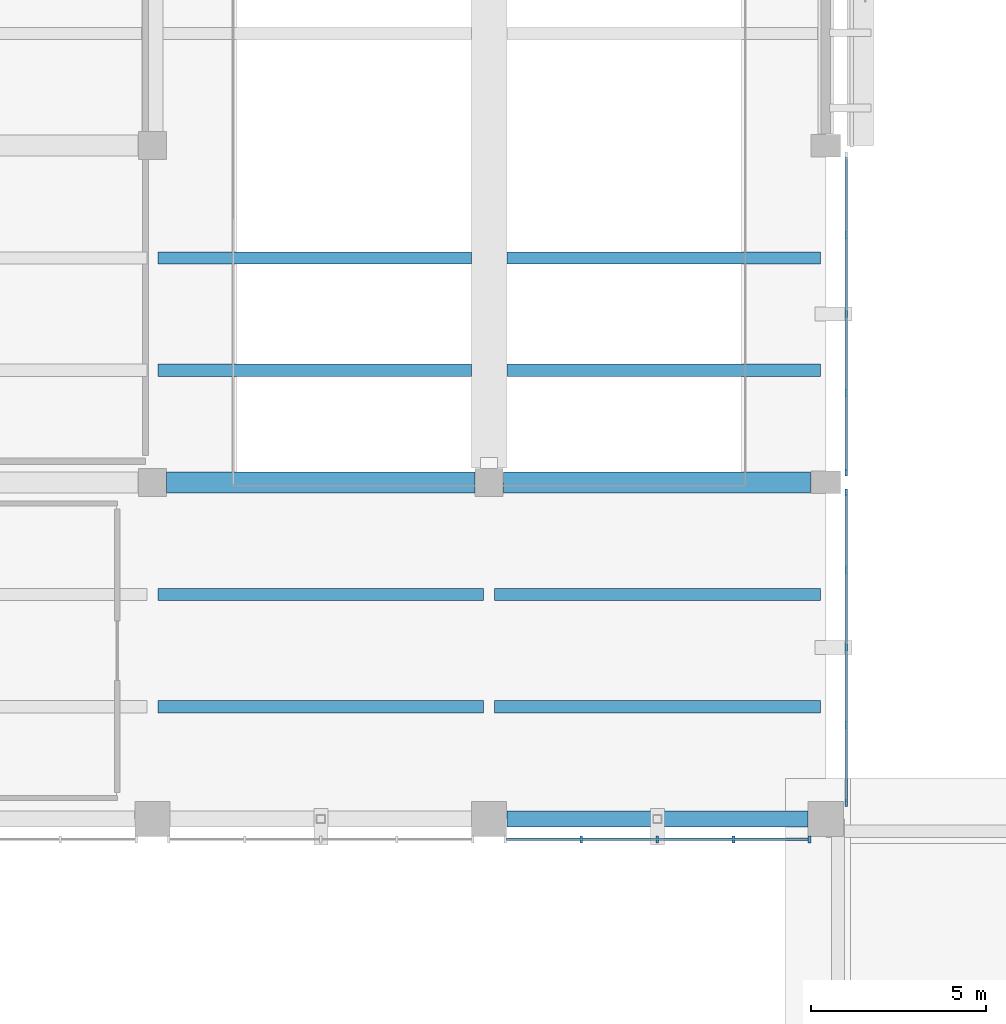
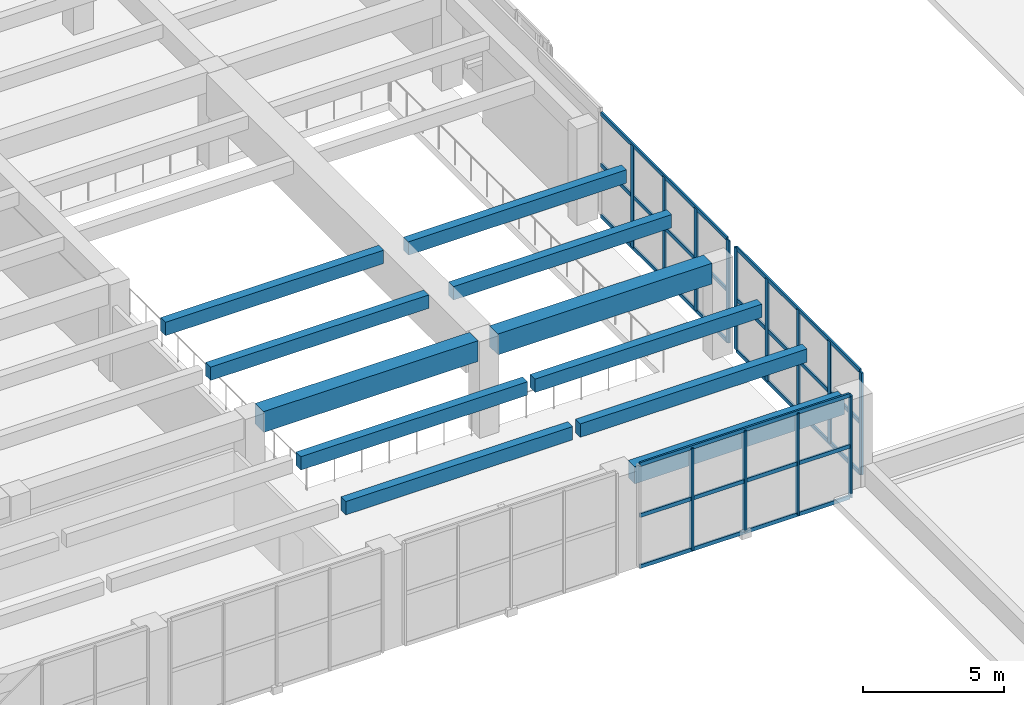
# One storey, part 11 of 49: 22 members, 11 beams, 3 elements without a shape of their own.
"""IFC4 building model written with IfcOpenShell, lengths in metres."""

import ifcopenshell
import ifcopenshell.guid

model = None  # the IFC model being written
_history = None  # IfcOwnerHistory: only IFC2X3 demands one
_inside = {}  # id of a spatial element -> (the spatial element, [elements in it])
_under = {}  # id of a project, library or spatial element -> (it, [spatial elements below it])
_declared = {}  # id of a project -> (the project, [libraries it declares])
_typed = {}  # id of a type object -> (the type object, [elements of that type])
_made_of = {}  # id of a material, layer set ... -> (it, [elements and type objects made of it])


def new_model(schema):
    """Start an empty IFC model of exactly this schema.

    Asked for "IFC4X3", IfcOpenShell would pick the latest addendum, in which some entities
    have other attributes; the version numbers below select the first issue.
    IFC2X3 requires an IfcOwnerHistory on every rooted entity: one is made here for all.
    """
    global model, _history
    if schema == "IFC4X3":
        model = ifcopenshell.file(schema_version=(4, 3, 0, 0))
    else:
        model = ifcopenshell.file(schema=schema)
    _inside.clear()
    _under.clear()
    _declared.clear()
    _typed.clear()
    _made_of.clear()
    _history = None
    if model.schema == "IFC2X3":
        org = make("IfcOrganization", Name="unknown")
        user = make(
            "IfcPersonAndOrganization",
            ThePerson=make("IfcPerson", FamilyName="unknown"),
            TheOrganization=org,
        )
        app = make(
            "IfcApplication",
            ApplicationDeveloper=org,
            Version="unknown",
            ApplicationFullName="unknown",
            ApplicationIdentifier="unknown",
        )
        _history = make(
            "IfcOwnerHistory",
            OwningUser=user,
            OwningApplication=app,
            ChangeAction="ADDED",
            CreationDate=0,
        )
    return model


def make(cls, **values):
    """One entity of the class cls with the attributes given. An attribute that is None is left unset."""
    return model.create_entity(
        cls, **{name: value for name, value in values.items() if value is not None}
    )


def rooted(cls, **values):
    """An entity with a GlobalId (a new one), such as an element, a storey or a relation."""
    return make(cls, GlobalId=ifcopenshell.guid.new(), OwnerHistory=_history, **values)


def si_unit(unit_type, name, prefix=None):
    """IfcSIUnit, for example si_unit("LENGTHUNIT", "METRE", prefix="MILLI")."""
    return make("IfcSIUnit", UnitType=unit_type, Prefix=prefix, Name=name)


def assignment(units):
    """IfcUnitAssignment: the units of a project."""
    return None if units is None else make("IfcUnitAssignment", Units=units)


def point(xyz):
    """IfcCartesianPoint."""
    return None if xyz is None else make("IfcCartesianPoint", Coordinates=xyz)


def direction(xyz):
    """IfcDirection."""
    return None if xyz is None else make("IfcDirection", DirectionRatios=xyz)


def frame(location, z_axis=None, x_axis=None):
    """IfcAxis2Placement3D, a coordinate frame: its origin and axes. An axis left out is left unset."""
    return make(
        "IfcAxis2Placement3D",
        Location=point(location),
        Axis=direction(z_axis),
        RefDirection=direction(x_axis),
    )


def frame_2d(location, x_axis=None):
    """IfcAxis2Placement2D, a coordinate frame in the plane: its origin and x axis."""
    return make(
        "IfcAxis2Placement2D", Location=point(location), RefDirection=direction(x_axis)
    )


def origin():
    """The frame at (0, 0, 0) with its axes left unset."""
    return frame((0.0, 0.0, 0.0))


def origin_2d():
    """The frame at (0, 0) in the plane with its x axis left unset."""
    return frame_2d((0.0, 0.0))


def place(relative_to, where):
    """IfcLocalPlacement: puts the frame where relative to a parent placement (None: the world)."""
    return make(
        "IfcLocalPlacement", PlacementRelTo=relative_to, RelativePlacement=where
    )


def context(
    kind, dimensions, precision=None, world=None, true_north=None, identifier=None
):
    """IfcGeometricRepresentationContext, for example the 3D "Model" context."""
    return make(
        "IfcGeometricRepresentationContext",
        ContextIdentifier=identifier,
        ContextType=kind,
        CoordinateSpaceDimension=dimensions,
        Precision=precision,
        WorldCoordinateSystem=world,
        TrueNorth=true_north,
    )


def subcontext(parent, identifier, kind, view, scale=None):
    """IfcGeometricRepresentationSubContext, for example "Body" below "Model"."""
    return make(
        "IfcGeometricRepresentationSubContext",
        ContextIdentifier=identifier,
        ContextType=kind,
        ParentContext=parent,
        TargetScale=scale,
        TargetView=view,
    )


def project(units=None, contexts=None):
    """IfcProject with its units and contexts."""
    return rooted(
        "IfcProject",
        Name="project",
        RepresentationContexts=contexts,
        UnitsInContext=assignment(units),
    )


def spatial(cls, under=None, at=None, **own):
    """A site, building, storey or space (cls), placed at a placement, below another one or the project."""
    s = rooted(cls, ObjectPlacement=at, **own)
    if under is not None:
        _under.setdefault(under.id(), (under, []))[1].append(s)
    return s


def profile(cls, at=None, kind="AREA", **sizes):
    """A parametric profile (cls). Its sizes go by their IFC names, for example OverallWidth=200.0."""
    return make(cls, ProfileType=kind, Position=at, **sizes)


def rectangle(**sizes):
    """IfcRectangleProfileDef."""
    return profile("IfcRectangleProfileDef", **sizes)


def extrude(swept, where, along, depth):
    """IfcExtrudedAreaSolid: the profile swept, set in the frame where, extruded along a direction by depth."""
    return make(
        "IfcExtrudedAreaSolid",
        SweptArea=swept,
        Position=where,
        ExtrudedDirection=direction(along),
        Depth=depth,
    )


def shape(context_of_items, identifier, shape_type, items):
    """IfcShapeRepresentation: the items that make up one representation, for example the "Body"."""
    return make(
        "IfcShapeRepresentation",
        ContextOfItems=context_of_items,
        RepresentationIdentifier=identifier,
        RepresentationType=shape_type,
        Items=items,
    )


def material(Name=None, Category=None):
    """IfcMaterial."""
    return make("IfcMaterial", Name=Name, Category=Category)


def layer(
    of_material, thickness, ventilated=None, Name=None, Category=None, Priority=None
):
    """IfcMaterialLayer: one layer of a wall or slab, of a material (None: an air gap)."""
    return make(
        "IfcMaterialLayer",
        Material=of_material,
        LayerThickness=thickness,
        IsVentilated=ventilated,
        Name=Name,
        Category=Category,
        Priority=Priority,
    )


def layer_set(layers, Name=None):
    """IfcMaterialLayerSet."""
    return make("IfcMaterialLayerSet", MaterialLayers=layers, LayerSetName=Name)


def material_profile(
    of_material, cross_section, Name=None, Category=None, Priority=None
):
    """IfcMaterialProfile: a cross section and its material."""
    return make(
        "IfcMaterialProfile",
        Name=Name,
        Material=of_material,
        Profile=cross_section,
        Priority=Priority,
        Category=Category,
    )


def profile_set(profiles, Name=None, composite=None):
    """IfcMaterialProfileSet."""
    return make(
        "IfcMaterialProfileSet",
        Name=Name,
        MaterialProfiles=profiles,
        CompositeProfile=composite,
    )


def made_of(thing, what):
    """Note that an element or type object is made of a material, layer set ...; save() writes the relation."""
    if what is not None:
        _made_of.setdefault(what.id(), (what, []))[1].append(thing)
    return thing


def type_object(cls, material=None, **own):
    """A type object (cls), such as IfcWallType, which elements share."""
    return made_of(rooted(cls, **own), material)


def element(
    cls,
    number,
    at=None,
    inside=None,
    cuts=None,
    type_object=None,
    material=None,
    context=None,
    identifier="Body",
    shape_type=None,
    held_by="IfcProductDefinitionShape",
    body=None,
    shapes=None,
    **own,
):
    """One element of the class cls, such as IfcWall. Its Tag is "e" and its number.

    at: its placement. inside: the storey or other place that contains it. cuts: it is an
    opening in that element (IfcRelVoidsElement). A single representation is given by context,
    identifier, shape_type and body (its items); several are given by shapes. held_by: the class
    of the entity that holds the representations. save() writes the other relations.
    """
    e = rooted(cls, Tag="e%d" % number, ObjectPlacement=at, **own)
    if body is not None:
        shapes = [shape(context, identifier, shape_type, body)]
    if shapes is not None:
        e.Representation = make(held_by, Representations=shapes)
    if inside is not None:
        _inside.setdefault(inside.id(), (inside, []))[1].append(e)
    if cuts is not None:
        rooted(
            "IfcRelVoidsElement", RelatingBuildingElement=cuts, RelatedOpeningElement=e
        )
    if type_object is not None:
        _typed.setdefault(type_object.id(), (type_object, []))[1].append(e)
    return made_of(e, material)


def aggregate(whole, parts):
    """IfcRelAggregates: a whole, such as a stair, and the parts it consists of."""
    return rooted("IfcRelAggregates", RelatingObject=whole, RelatedObjects=parts)


def save(model, path):
    """Write the relations noted so far, then the file.

    IfcRelAggregates (storeys below a building ...), IfcRelContainedInSpatialStructure (elements
    in a storey), IfcRelDefinesByType, IfcRelAssociatesMaterial and IfcRelDeclares: one each for
    every whole, place, type object, material and project.
    """
    for whole, parts in _under.values():
        aggregate(whole, parts)
    for where, things in _inside.values():
        rooted(
            "IfcRelContainedInSpatialStructure",
            RelatedElements=things,
            RelatingStructure=where,
        )
    for kind, things in _typed.values():
        rooted("IfcRelDefinesByType", RelatedObjects=things, RelatingType=kind)
    for what, things in _made_of.values():
        rooted("IfcRelAssociatesMaterial", RelatedObjects=things, RelatingMaterial=what)
    for by, libraries in _declared.values():
        rooted("IfcRelDeclares", RelatingContext=by, RelatedDefinitions=libraries)
    model.write(path)


model = new_model("IFC4")

# Units and contexts
model_context = context("Model", 3, precision=1e-05, world=origin(), true_north=direction((0.0, 1.0)))
body_context = subcontext(model_context, "Body", "Model", "MODEL_VIEW")
ifc_project = project(units=[si_unit("LENGTHUNIT", "METRE"), si_unit("AREAUNIT", "SQUARE_METRE"), si_unit("VOLUMEUNIT", "CUBIC_METRE"), si_unit("PLANEANGLEUNIT", "RADIAN"), si_unit("MASSUNIT", "GRAM", prefix="KILO")], contexts=[model_context])

# Site, building, storey
site_placement = place(None, origin())
site = spatial("IfcSite", under=ifc_project, at=site_placement, CompositionType="ELEMENT")
building_placement = place(site_placement, origin())
building = spatial("IfcBuilding", under=site, at=building_placement, Name="Bempovik Park Faculty of Sciences", CompositionType="ELEMENT")
storey_placement = place(building_placement, frame((0.0, 0.0, 5.39990234375)))
storey = spatial("IfcBuildingStorey", under=building, at=storey_placement, Name="L01", CompositionType="ELEMENT", Elevation=5.39990234375)

# Beams
ifc_material_1 = material(Name="Concrete C35/45", Category="concrete")
ifc_material_profile_1 = material_profile(ifc_material_1, rectangle(XDim=0.35009765625, YDim=0.580078125, at=origin_2d()), Name="RC 350x580")
ifc_profile_set_1 = profile_set([ifc_material_profile_1], Name="Concrete C35/45")
beam_type_1 = type_object("IfcBeamType", Name="B-107 RC 350x580", PredefinedType="JOIST", material=ifc_profile_set_1)
for number, where, z_axis, x_axis, name in (
    (1, (98.555908203125, 23.0, 3.89013671875), (1.0, 0.0, 0.0), (0.0, 1.0, 0.0), "L01 Secondary Joist (98.4-108.0, y=23.00)"),
    (2, (98.555908203125, 26.199951171875, 3.89013671875), (1.0, 0.0, 0.0), (0.0, 1.0, 0.0), "L01 Secondary Joist (98.4-108.0, y=26.20)"),
):
    element("IfcBeam", number, at=place(storey_placement, frame(where, z_axis=z_axis, x_axis=x_axis)), inside=storey, type_object=beam_type_1, Name=name, PredefinedType="JOIST", context=body_context, shape_type="SweptSolid", body=[
        extrude(rectangle(XDim=0.35009765625, YDim=0.580078125, at=origin_2d()), origin(), (0.0, 0.0, 1.0), 9.2880859375),
    ])
for number, where, z_axis, x_axis, name in (
    (3, (98.555908203125, 32.60009765625, 3.89013671875), (1.0, 0.0, 0.0), (0.0, 1.0, 0.0), "L01 Secondary Joist (98.4-108.0, y=32.60)"),
    (4, (98.555908203125, 35.800048828125, 3.89013671875), (1.0, 0.0, 0.0), (0.0, 1.0, 0.0), "L01 Secondary Joist (98.4-108.0, y=35.80)"),
):
    element("IfcBeam", number, at=place(storey_placement, frame(where, z_axis=z_axis, x_axis=x_axis)), inside=storey, type_object=beam_type_1, Name=name, PredefinedType="JOIST", context=body_context, shape_type="SweptSolid", body=[
        extrude(rectangle(XDim=0.35009765625, YDim=0.580078125, at=origin_2d()), origin(), (0.0, 0.0, 1.0), 8.93798828125),
    ])
for number, where, z_axis, x_axis, name in (
    (5, (108.156005859375, 23.0, 3.89013671875), (1.0, 0.0, 0.0), (0.0, 1.0, 0.0), "L01 Secondary Joist (108.0-117.6, y=23.00)"),
    (6, (108.156005859375, 26.199951171875, 3.89013671875), (1.0, 0.0, 0.0), (0.0, 1.0, 0.0), "L01 Secondary Joist (108.0-117.6, y=26.20)"),
):
    element("IfcBeam", number, at=place(storey_placement, frame(where, z_axis=z_axis, x_axis=x_axis)), inside=storey, type_object=beam_type_1, Name=name, PredefinedType="JOIST", context=body_context, shape_type="SweptSolid", body=[
        extrude(rectangle(XDim=0.35009765625, YDim=0.580078125, at=origin_2d()), origin(), (0.0, 0.0, 1.0), 9.2880859375),
    ])
for number, where, z_axis, x_axis, name in (
    (7, (108.506103515625, 32.60009765625, 3.89013671875), (1.0, 0.0, 0.0), (0.0, 1.0, 0.0), "L01 Secondary Joist (108.0-117.6, y=32.60)"),
    (8, (108.506103515625, 35.800048828125, 3.89013671875), (1.0, 0.0, 0.0), (0.0, 1.0, 0.0), "L01 Secondary Joist (108.0-117.6, y=35.80)"),
):
    element("IfcBeam", number, at=place(storey_placement, frame(where, z_axis=z_axis, x_axis=x_axis)), inside=storey, type_object=beam_type_1, Name=name, PredefinedType="JOIST", context=body_context, shape_type="SweptSolid", body=[
        extrude(rectangle(XDim=0.35009765625, YDim=0.580078125, at=origin_2d()), origin(), (0.0, 0.0, 1.0), 8.93798828125),
    ])
ifc_material_2 = material(Name="Concrete C40/50", Category="concrete")
ifc_material_profile_2 = material_profile(ifc_material_2, rectangle(XDim=0.60009765625, YDim=0.89990234375, at=origin_2d()), Name="RC 600x900")
ifc_profile_set_2 = profile_set([ifc_material_profile_2], Name="Concrete C40/50")
beam_type_2 = type_object("IfcBeamType", Name="B-115 RC 600x900", PredefinedType="BEAM", material=ifc_profile_set_2)
beam_1_placement = place(storey_placement, frame((98.805908203125, 29.39990234375, 3.72998046875), z_axis=(1.0, 0.0, 0.0), x_axis=(0.0, 1.0, 0.0)))
element("IfcBeam", 9, at=beam_1_placement, inside=storey, type_object=beam_type_2, Name="L01 Beam X (98.4-108.0, y=29.4)", PredefinedType="BEAM", context=body_context, shape_type="SweptSolid", body=[
    extrude(rectangle(XDim=0.60009765625, YDim=0.89990234375, at=origin_2d()), origin(), (0.0, 0.0, 1.0), 8.7880859375),
])
beam_2_placement = place(storey_placement, frame((108.406005859375, 29.39990234375, 3.72998046875), z_axis=(1.0, 0.0, 0.0), x_axis=(0.0, 1.0, 0.0)))
element("IfcBeam", 10, at=beam_2_placement, inside=storey, type_object=beam_type_2, Name="L01 Beam X (108.0-117.6, y=29.4)", PredefinedType="BEAM", context=body_context, shape_type="SweptSolid", body=[
    extrude(rectangle(XDim=0.60009765625, YDim=0.89990234375, at=origin_2d()), origin(), (0.0, 0.0, 1.0), 8.762939453125),
])
ifc_material_profile_3 = material_profile(ifc_material_2, rectangle(XDim=0.449951171875, YDim=0.75, at=origin_2d()), Name="RC 450x750")
ifc_profile_set_3 = profile_set([ifc_material_profile_3], Name="Concrete C40/50")
beam_type_3 = type_object("IfcBeamType", Name="B-130 RC 450x750", PredefinedType="SPANDREL", material=ifc_profile_set_3)
beam_3_placement = place(storey_placement, frame((108.506103515625, 19.800048828125, 3.80517578125), z_axis=(1.0, 0.0, 0.0), x_axis=(0.0, 1.0, 0.0)))
element("IfcBeam", 11, at=beam_3_placement, inside=storey, type_object=beam_type_3, Name="L01 Beam X (108.0-117.6, y=19.8)", PredefinedType="SPANDREL", context=body_context, shape_type="SweptSolid", body=[
    extrude(rectangle(XDim=0.449951171875, YDim=0.75, at=origin_2d()), origin(), (0.0, 0.0, 1.0), 8.587890625),
])

# Curtain wall, members
ifc_material_3 = material(Name="Tempered laminated low-E glass", Category="glass")
ifc_layer = layer(ifc_material_3, 0.159912109375)
ifc_layer_set = layer_set([ifc_layer], Name="Tempered laminated low-E glass")
curtain_wall_type = type_object("IfcCurtainWallType", Name="CW-48 Curtain 7200x4200", PredefinedType="USERDEFINED", material=ifc_layer_set)
curtain_wall_1_placement = place(storey_placement, origin())
curtain_wall_1 = element("IfcCurtainWall", 12, at=curtain_wall_1_placement, inside=storey, type_object=curtain_wall_type, Name="L01 Recessed Entrance Foyer Curtain Wall (19.8-29.4)", ObjectType="UNITISED CURTAIN WALL", PredefinedType="USERDEFINED")
ifc_material_4 = material(Name="Anodised architectural bronze", Category="aluminium")
ifc_material_profile_4 = material_profile(ifc_material_4, rectangle(XDim=0.074951171875, YDim=0.199951171875, at=origin_2d()), Name="ALU-M 75x200")
ifc_profile_set_4 = profile_set([ifc_material_profile_4], Name="Anodised architectural bronze")
member_type_1 = type_object("IfcMemberType", Name="ML-17 ALU-M 75x200", PredefinedType="MULLION", material=ifc_profile_set_4)
member_1_placement = place(storey_placement, frame((118.179931640625, 20.261962890625, 0.080078125), z_axis=(0.0, 0.0, 1.0), x_axis=(1.0, 0.0, 0.0)))
member_1 = element("IfcMember", 13, at=member_1_placement, type_object=member_type_1, Name="CW-FOY-L01-1176-198 Mullion 0", PredefinedType="MULLION", context=body_context, shape_type="SweptSolid", body=[
    extrude(rectangle(XDim=0.074951171875, YDim=0.199951171875, at=origin_2d()), origin(), (0.0, 0.0, 1.0), 4.419921875),
])
member_2_placement = place(storey_placement, frame((118.179931640625, 22.474853515625, 0.080078125), z_axis=(0.0, 0.0, 1.0), x_axis=(1.0, 0.0, 0.0)))
member_2 = element("IfcMember", 14, at=member_2_placement, type_object=member_type_1, Name="CW-FOY-L01-1176-198 Mullion 1", PredefinedType="MULLION", context=body_context, shape_type="SweptSolid", body=[
    extrude(rectangle(XDim=0.074951171875, YDim=0.199951171875, at=origin_2d()), origin(), (0.0, 0.0, 1.0), 4.419921875),
])
member_3_placement = place(storey_placement, frame((118.179931640625, 24.6875, 0.080078125), z_axis=(0.0, 0.0, 1.0), x_axis=(1.0, 0.0, 0.0)))
member_3 = element("IfcMember", 15, at=member_3_placement, type_object=member_type_1, Name="CW-FOY-L01-1176-198 Mullion 2", PredefinedType="MULLION", context=body_context, shape_type="SweptSolid", body=[
    extrude(rectangle(XDim=0.074951171875, YDim=0.199951171875, at=origin_2d()), origin(), (0.0, 0.0, 1.0), 4.419921875),
])
member_4_placement = place(storey_placement, frame((118.179931640625, 26.900146484375, 0.080078125), z_axis=(0.0, 0.0, 1.0), x_axis=(1.0, 0.0, 0.0)))
member_4 = element("IfcMember", 16, at=member_4_placement, type_object=member_type_1, Name="CW-FOY-L01-1176-198 Mullion 3", PredefinedType="MULLION", context=body_context, shape_type="SweptSolid", body=[
    extrude(rectangle(XDim=0.074951171875, YDim=0.199951171875, at=origin_2d()), origin(), (0.0, 0.0, 1.0), 4.419921875),
])
member_5_placement = place(storey_placement, frame((118.179931640625, 29.113037109375, 0.080078125), z_axis=(0.0, 0.0, 1.0), x_axis=(1.0, 0.0, 0.0)))
member_5 = element("IfcMember", 17, at=member_5_placement, type_object=member_type_1, Name="CW-FOY-L01-1176-198 Mullion 4", PredefinedType="MULLION", context=body_context, shape_type="SweptSolid", body=[
    extrude(rectangle(XDim=0.074951171875, YDim=0.199951171875, at=origin_2d()), origin(), (0.0, 0.0, 1.0), 4.419921875),
])

curtain_wall_2_placement = place(storey_placement, origin())
curtain_wall_2 = element("IfcCurtainWall", 18, at=curtain_wall_2_placement, inside=storey, type_object=curtain_wall_type, Name="L01 Recessed Entrance Foyer Curtain Wall (29.4-39.0)", ObjectType="UNITISED CURTAIN WALL", PredefinedType="USERDEFINED")
member_6_placement = place(storey_placement, frame((118.179931640625, 29.68701171875, 0.080078125), z_axis=(0.0, 0.0, 1.0), x_axis=(1.0, 0.0, 0.0)))
member_6 = element("IfcMember", 19, at=member_6_placement, type_object=member_type_1, Name="CW-FOY-L01-1176-294 Mullion 0", PredefinedType="MULLION", context=body_context, shape_type="SweptSolid", body=[
    extrude(rectangle(XDim=0.074951171875, YDim=0.199951171875, at=origin_2d()), origin(), (0.0, 0.0, 1.0), 4.419921875),
])
member_7_placement = place(storey_placement, frame((118.179931640625, 31.943603515625, 0.080078125), z_axis=(0.0, 0.0, 1.0), x_axis=(1.0, 0.0, 0.0)))
member_7 = element("IfcMember", 20, at=member_7_placement, type_object=member_type_1, Name="CW-FOY-L01-1176-294 Mullion 1", PredefinedType="MULLION", context=body_context, shape_type="SweptSolid", body=[
    extrude(rectangle(XDim=0.074951171875, YDim=0.199951171875, at=origin_2d()), origin(), (0.0, 0.0, 1.0), 4.419921875),
])
member_8_placement = place(storey_placement, frame((118.179931640625, 34.199951171875, 0.080078125), z_axis=(0.0, 0.0, 1.0), x_axis=(1.0, 0.0, 0.0)))
member_8 = element("IfcMember", 21, at=member_8_placement, type_object=member_type_1, Name="CW-FOY-L01-1176-294 Mullion 2", PredefinedType="MULLION", context=body_context, shape_type="SweptSolid", body=[
    extrude(rectangle(XDim=0.074951171875, YDim=0.199951171875, at=origin_2d()), origin(), (0.0, 0.0, 1.0), 4.419921875),
])
member_9_placement = place(storey_placement, frame((118.179931640625, 36.45654296875, 0.080078125), z_axis=(0.0, 0.0, 1.0), x_axis=(1.0, 0.0, 0.0)))
member_9 = element("IfcMember", 22, at=member_9_placement, type_object=member_type_1, Name="CW-FOY-L01-1176-294 Mullion 3", PredefinedType="MULLION", context=body_context, shape_type="SweptSolid", body=[
    extrude(rectangle(XDim=0.074951171875, YDim=0.199951171875, at=origin_2d()), origin(), (0.0, 0.0, 1.0), 4.419921875),
])

curtain_wall_3_placement = place(storey_placement, origin())
curtain_wall_3 = element("IfcCurtainWall", 23, at=curtain_wall_3_placement, inside=storey, type_object=curtain_wall_type, Name="L01 Recessed Entrance Foyer Curtain Wall (108.0-117.6)", ObjectType="UNITISED CURTAIN WALL", PredefinedType="USERDEFINED")
member_10_placement = place(storey_placement, frame((110.631103515625, 19.219970703125, 0.080078125), z_axis=(0.0, 0.0, 1.0), x_axis=(1.0, 0.0, 0.0)))
member_10 = element("IfcMember", 24, at=member_10_placement, type_object=member_type_1, Name="CW-FOY-L01-198-1080 Mullion 1", PredefinedType="MULLION", context=body_context, shape_type="SweptSolid", body=[
    extrude(rectangle(XDim=0.074951171875, YDim=0.199951171875, at=origin_2d()), origin(), (0.0, 0.0, 1.0), 4.419921875),
])
member_11_placement = place(storey_placement, frame((112.800048828125, 19.219970703125, 0.080078125), z_axis=(0.0, 0.0, 1.0), x_axis=(1.0, 0.0, 0.0)))
member_11 = element("IfcMember", 25, at=member_11_placement, type_object=member_type_1, Name="CW-FOY-L01-198-1080 Mullion 2", PredefinedType="MULLION", context=body_context, shape_type="SweptSolid", body=[
    extrude(rectangle(XDim=0.074951171875, YDim=0.199951171875, at=origin_2d()), origin(), (0.0, 0.0, 1.0), 4.419921875),
])
member_12_placement = place(storey_placement, frame((114.968994140625, 19.219970703125, 0.080078125), z_axis=(0.0, 0.0, 1.0), x_axis=(1.0, 0.0, 0.0)))
member_12 = element("IfcMember", 26, at=member_12_placement, type_object=member_type_1, Name="CW-FOY-L01-198-1080 Mullion 3", PredefinedType="MULLION", context=body_context, shape_type="SweptSolid", body=[
    extrude(rectangle(XDim=0.074951171875, YDim=0.199951171875, at=origin_2d()), origin(), (0.0, 0.0, 1.0), 4.419921875),
])
member_13_placement = place(storey_placement, frame((117.137939453125, 19.219970703125, 0.080078125), z_axis=(0.0, 0.0, 1.0), x_axis=(1.0, 0.0, 0.0)))
member_13 = element("IfcMember", 27, at=member_13_placement, type_object=member_type_1, Name="CW-FOY-L01-198-1080 Mullion 4", PredefinedType="MULLION", context=body_context, shape_type="SweptSolid", body=[
    extrude(rectangle(XDim=0.074951171875, YDim=0.199951171875, at=origin_2d()), origin(), (0.0, 0.0, 1.0), 4.419921875),
])

# Member
ifc_material_profile_5 = material_profile(ifc_material_4, rectangle(XDim=0.074951171875, YDim=0.1650390625, at=origin_2d()), Name="ALU-T 75x165")
ifc_profile_set_5 = profile_set([ifc_material_profile_5], Name="Anodised architectural bronze")
member_type_2 = type_object("IfcMemberType", Name="TR-15 ALU-T 75x165", PredefinedType="USERDEFINED", material=ifc_profile_set_5)
member_14_placement = place(storey_placement, frame((118.179931640625, 20.302001953125, 0.080078125), z_axis=(0.0, 1.0, 0.0), x_axis=(-1.0, 0.0, 0.0)))
member_14 = element("IfcMember", 28, at=member_14_placement, type_object=member_type_2, Name="CW-FOY-L01-1176-198 Transom 0", ObjectType="TRANSOM", PredefinedType="USERDEFINED", context=body_context, shape_type="SweptSolid", body=[
    extrude(rectangle(XDim=0.074951171875, YDim=0.1650390625, at=origin_2d()), origin(), (0.0, 0.0, 1.0), 8.77099609375),
])

member_15_placement = place(storey_placement, frame((118.179931640625, 20.302001953125, 2.2900390625), z_axis=(0.0, 1.0, 0.0), x_axis=(-1.0, 0.0, 0.0)))
member_15 = element("IfcMember", 29, at=member_15_placement, type_object=member_type_2, Name="CW-FOY-L01-1176-198 Transom 1", ObjectType="TRANSOM", PredefinedType="USERDEFINED", context=body_context, shape_type="SweptSolid", body=[
    extrude(rectangle(XDim=0.074951171875, YDim=0.1650390625, at=origin_2d()), origin(), (0.0, 0.0, 1.0), 8.77099609375),
])

member_16_placement = place(storey_placement, frame((118.179931640625, 20.302001953125, 4.5), z_axis=(0.0, 1.0, 0.0), x_axis=(-1.0, 0.0, 0.0)))
member_16 = element("IfcMember", 30, at=member_16_placement, type_object=member_type_2, Name="CW-FOY-L01-1176-198 Transom 2", ObjectType="TRANSOM", PredefinedType="USERDEFINED", context=body_context, shape_type="SweptSolid", body=[
    extrude(rectangle(XDim=0.074951171875, YDim=0.1650390625, at=origin_2d()), origin(), (0.0, 0.0, 1.0), 8.77099609375),
])

aggregate(curtain_wall_1, [member_1, member_2, member_3, member_4, member_5, member_14, member_15, member_16])

member_17_placement = place(storey_placement, frame((118.179931640625, 29.72705078125, 0.080078125), z_axis=(0.0, 1.0, 0.0), x_axis=(-1.0, 0.0, 0.0)))
member_17 = element("IfcMember", 31, at=member_17_placement, type_object=member_type_2, Name="CW-FOY-L01-1176-294 Transom 0", ObjectType="TRANSOM", PredefinedType="USERDEFINED", context=body_context, shape_type="SweptSolid", body=[
    extrude(rectangle(XDim=0.074951171875, YDim=0.1650390625, at=origin_2d()), origin(), (0.0, 0.0, 1.0), 8.946044921875),
])

member_18_placement = place(storey_placement, frame((118.179931640625, 29.72705078125, 2.2900390625), z_axis=(0.0, 1.0, 0.0), x_axis=(-1.0, 0.0, 0.0)))
member_18 = element("IfcMember", 32, at=member_18_placement, type_object=member_type_2, Name="CW-FOY-L01-1176-294 Transom 1", ObjectType="TRANSOM", PredefinedType="USERDEFINED", context=body_context, shape_type="SweptSolid", body=[
    extrude(rectangle(XDim=0.074951171875, YDim=0.1650390625, at=origin_2d()), origin(), (0.0, 0.0, 1.0), 8.946044921875),
])

member_19_placement = place(storey_placement, frame((118.179931640625, 29.72705078125, 4.5), z_axis=(0.0, 1.0, 0.0), x_axis=(-1.0, 0.0, 0.0)))
member_19 = element("IfcMember", 33, at=member_19_placement, type_object=member_type_2, Name="CW-FOY-L01-1176-294 Transom 2", ObjectType="TRANSOM", PredefinedType="USERDEFINED", context=body_context, shape_type="SweptSolid", body=[
    extrude(rectangle(XDim=0.074951171875, YDim=0.1650390625, at=origin_2d()), origin(), (0.0, 0.0, 1.0), 8.946044921875),
])

aggregate(curtain_wall_2, [member_6, member_7, member_8, member_9, member_17, member_18, member_19])

member_20_placement = place(storey_placement, frame((108.501953125, 19.219970703125, 0.080078125), z_axis=(1.0, 0.0, 0.0), x_axis=(0.0, 1.0, 0.0)))
member_20 = element("IfcMember", 34, at=member_20_placement, type_object=member_type_2, Name="CW-FOY-L01-198-1080 Transom 0", ObjectType="TRANSOM", PredefinedType="USERDEFINED", context=body_context, shape_type="SweptSolid", body=[
    extrude(rectangle(XDim=0.074951171875, YDim=0.1650390625, at=origin_2d()), origin(), (0.0, 0.0, 1.0), 8.595947265625),
])

member_21_placement = place(storey_placement, frame((108.501953125, 19.219970703125, 2.2900390625), z_axis=(1.0, 0.0, 0.0), x_axis=(0.0, 1.0, 0.0)))
member_21 = element("IfcMember", 35, at=member_21_placement, type_object=member_type_2, Name="CW-FOY-L01-198-1080 Transom 1", ObjectType="TRANSOM", PredefinedType="USERDEFINED", context=body_context, shape_type="SweptSolid", body=[
    extrude(rectangle(XDim=0.074951171875, YDim=0.1650390625, at=origin_2d()), origin(), (0.0, 0.0, 1.0), 8.595947265625),
])

member_22_placement = place(storey_placement, frame((108.501953125, 19.219970703125, 4.5), z_axis=(1.0, 0.0, 0.0), x_axis=(0.0, 1.0, 0.0)))
member_22 = element("IfcMember", 36, at=member_22_placement, type_object=member_type_2, Name="CW-FOY-L01-198-1080 Transom 2", ObjectType="TRANSOM", PredefinedType="USERDEFINED", context=body_context, shape_type="SweptSolid", body=[
    extrude(rectangle(XDim=0.074951171875, YDim=0.1650390625, at=origin_2d()), origin(), (0.0, 0.0, 1.0), 8.595947265625),
])

aggregate(curtain_wall_3, [member_10, member_11, member_12, member_13, member_20, member_21, member_22])

save(model, "model.ifc")
